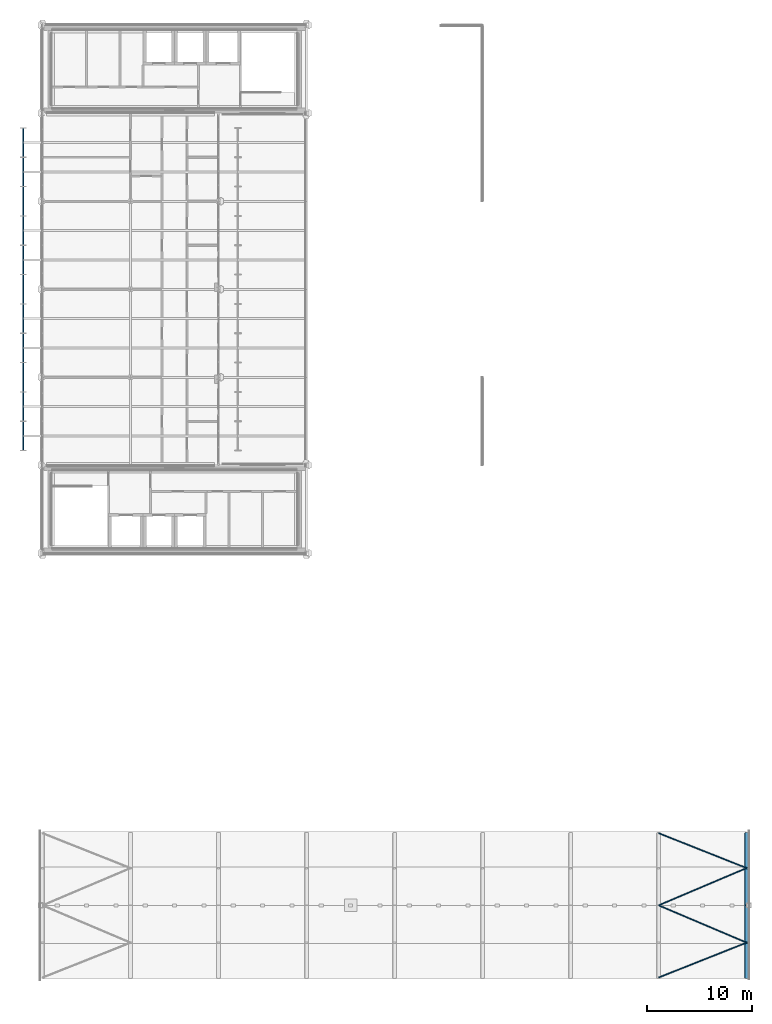
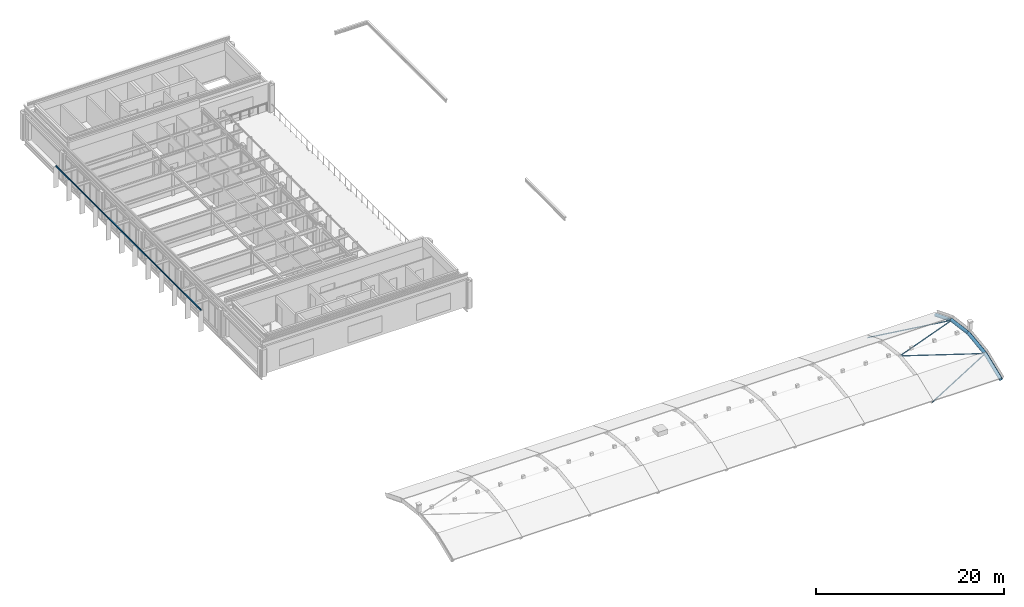
# One storey, part 12 of 31: 9 members.
"""IFC4 building model written with IfcOpenShell, lengths in metres."""

from ifc_helpers import new_model, si_unit, direction, frame, origin, origin_2d, place, context, subcontext, project, spatial, hollow_rectangle, hollow_circle, extrude, material, material_profile, profile_set, type_object, element, save


model = new_model("IFC4")

# Units and contexts
model_context = context("Model", 3, precision=1e-05, world=origin(), true_north=direction((0.0, 1.0)))
body_context = subcontext(model_context, "Body", "Model", "MODEL_VIEW")
ifc_project = project(units=[si_unit("LENGTHUNIT", "METRE"), si_unit("AREAUNIT", "SQUARE_METRE"), si_unit("VOLUMEUNIT", "CUBIC_METRE"), si_unit("PLANEANGLEUNIT", "RADIAN"), si_unit("MASSUNIT", "GRAM", prefix="KILO")], contexts=[model_context])

# Site, building, storey
site_placement = place(None, origin())
site = spatial("IfcSite", under=ifc_project, at=site_placement, CompositionType="ELEMENT")
building_placement = place(site_placement, origin())
building = spatial("IfcBuilding", under=site, at=building_placement, Name="Catenary Quay Ferry Terminal", CompositionType="ELEMENT")
storey_placement = place(building_placement, frame((0.0, 0.0, 20.60009765625)))
storey = spatial("IfcBuildingStorey", under=building, at=storey_placement, Name="L04", CompositionType="ELEMENT", Elevation=20.60009765625)

# Members
ifc_material_1 = material(Name="Steel S355", Category="steel")
ifc_material_profile_1 = material_profile(ifc_material_1, hollow_circle(Radius=0.06982421875, WallThickness=0.008056640625, at=origin_2d()), Name="CHS 139.7x8")
ifc_profile_set_1 = profile_set([ifc_material_profile_1], Name="Steel S355")
member_type_1 = type_object("IfcMemberType", Name="BR1 CHS 139.7x8", PredefinedType="BRACE", material=ifc_profile_set_1)
member_1_placement = place(storey_placement, frame((84.0, 119.110107421875, 0.386962890625), z_axis=(0.919574873009, 0.364638725585, 0.146357960954), x_axis=(-0.368608008887, 0.929584926612, 0.0)))
element("IfcMember", 1, at=member_1_placement, inside=storey, type_object=member_type_1, Name="Roof brace BR-VD-08-05", PredefinedType="BRACE", context=body_context, shape_type="SweptSolid", body=[
    extrude(hollow_circle(Radius=0.06982421875, WallThickness=0.008056640625, at=origin_2d()), origin(), (0.0, 0.0, 1.0), 9.134521484375),
])
for number, where, z_axis, x_axis, name in (
    (2, (92.39990234375, 122.44091796875, 1.723876953125), (-0.919508350696, 0.389600439936, 0.052114203449), (-0.390130576033, -0.920759541707, 0.0), "Roof brace BR-VD-08-06"),
    (3, (84.0, 126.0, 2.199951171875), (0.919508350696, 0.389600439936, -0.052114203449), (-0.390130576033, 0.920759541707, 0.0), "Roof brace BR-VD-08-07"),
):
    element("IfcMember", number, at=place(storey_placement, frame(where, z_axis=z_axis, x_axis=x_axis)), inside=storey, type_object=member_type_1, Name=name, PredefinedType="BRACE", context=body_context, shape_type="SweptSolid", body=[
        extrude(hollow_circle(Radius=0.06982421875, WallThickness=0.008056640625, at=origin_2d()), origin(), (0.0, 0.0, 1.0), 9.13525390625),
    ])
member_2_placement = place(storey_placement, frame((92.39990234375, 129.55908203125, 1.723876953125), z_axis=(-0.919574873009, 0.364638725585, -0.146357960954), x_axis=(-0.368608008887, -0.929584926612, 0.0)))
element("IfcMember", 4, at=member_2_placement, inside=storey, type_object=member_type_1, Name="Roof brace BR-VD-08-08", PredefinedType="BRACE", context=body_context, shape_type="SweptSolid", body=[
    extrude(hollow_circle(Radius=0.06982421875, WallThickness=0.008056640625, at=origin_2d()), origin(), (0.0, 0.0, 1.0), 9.134521484375),
])
ifc_material_2 = material(Name="Aluminium", Category="aluminium")
ifc_material_profile_2 = material_profile(ifc_material_2, hollow_rectangle(XDim=0.10009765625, YDim=0.14990234375, WallThickness=0.006103515625, at=origin_2d()), Name="SR1")
ifc_profile_set_2 = profile_set([ifc_material_profile_2], Name="Aluminium")
member_type_2 = type_object("IfcMemberType", Name="SR1", PredefinedType="USERDEFINED", material=ifc_profile_set_2)
member_3_placement = place(storey_placement, frame((23.35009765625, 169.39990234375, 3.06982421875), z_axis=(0.0, 1.0, 0.0), x_axis=(1.0, 0.0, 0.0)))
element("IfcMember", 5, at=member_3_placement, inside=storey, type_object=member_type_2, Name="Screen rail W", ObjectType="RAIL", PredefinedType="USERDEFINED", context=body_context, shape_type="SweptSolid", body=[
    extrude(hollow_rectangle(XDim=0.10009765625, YDim=0.14990234375, WallThickness=0.006103515625, at=origin_2d()), origin(), (0.0, 0.0, 1.0), 30.800048828125),
])
ifc_material_3 = material(Name="Steel S355", Category="steel")
ifc_material_profile_3 = material_profile(ifc_material_3, hollow_circle(Radius=0.203125, WallThickness=0.01611328125, at=origin_2d()), Name="CHS 406.4x16")
ifc_profile_set_3 = profile_set([ifc_material_profile_3], Name="Steel S355")
member_type_3 = type_object("IfcMemberType", Name="VR3 CHS 406.4x16", PredefinedType="RAFTER", material=ifc_profile_set_3)
member_4_placement = place(storey_placement, frame((92.39990234375, 119.110107421875, 0.386962890625), z_axis=(0.0, 0.928035060995, 0.372492853039), x_axis=(-1.0, 0.0, 0.0)))
element("IfcMember", 6, at=member_4_placement, inside=storey, type_object=member_type_3, Name="Vault rib VD-09-05", PredefinedType="RAFTER", context=body_context, shape_type="SweptSolid", body=[
    extrude(hollow_circle(Radius=0.203125, WallThickness=0.01611328125, at=origin_2d()), origin(), (0.0, 0.0, 1.0), 3.589111328125),
])
for number, where, z_axis, x_axis, name in (
    (7, (92.39990234375, 122.44091796875, 1.723876953125), (0.0, 0.991171994386, 0.132582342506), (-1.0, 0.0, 0.0), "Vault rib VD-09-06"),
    (8, (92.39990234375, 126.0, 2.199951171875), (0.0, 0.991171994386, -0.132582342506), (-1.0, 0.0, 0.0), "Vault rib VD-09-07"),
):
    element("IfcMember", number, at=place(storey_placement, frame(where, z_axis=z_axis, x_axis=x_axis)), inside=storey, type_object=member_type_3, Name=name, PredefinedType="RAFTER", context=body_context, shape_type="SweptSolid", body=[
        extrude(hollow_circle(Radius=0.203125, WallThickness=0.01611328125, at=origin_2d()), origin(), (0.0, 0.0, 1.0), 3.5908203125),
    ])
member_5_placement = place(storey_placement, frame((92.39990234375, 129.55908203125, 1.723876953125), z_axis=(0.0, 0.928035060995, -0.372492853039), x_axis=(-1.0, 0.0, 0.0)))
element("IfcMember", 9, at=member_5_placement, inside=storey, type_object=member_type_3, Name="Vault rib VD-09-08", PredefinedType="RAFTER", context=body_context, shape_type="SweptSolid", body=[
    extrude(hollow_circle(Radius=0.203125, WallThickness=0.01611328125, at=origin_2d()), origin(), (0.0, 0.0, 1.0), 3.589111328125),
])

save(model, "model.ifc")
